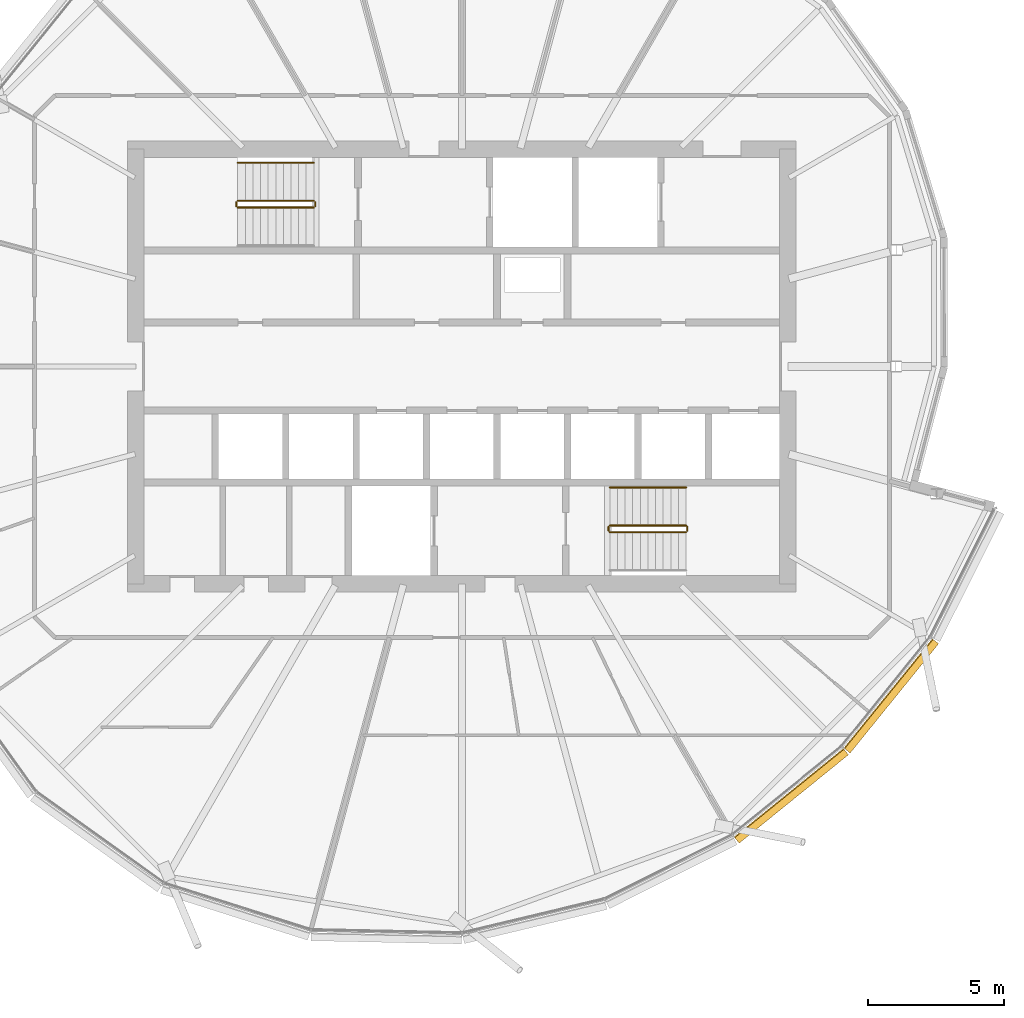
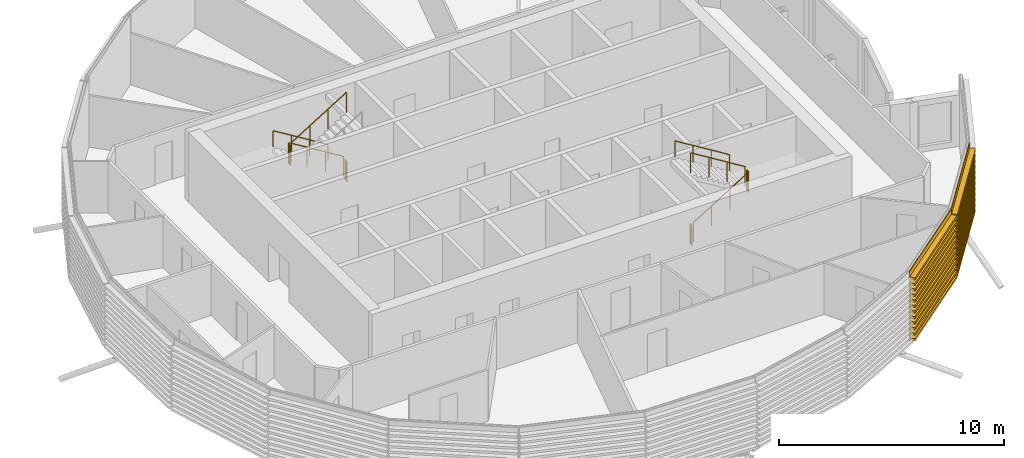
# One storey, part 36 of 37: 10 railings, 2 coverings.
"""IFC4 building model written with IfcOpenShell, lengths in metres."""

from ifc_helpers import new_model, si_unit, direction, frame, origin, origin_2d, place, context, subcontext, project, spatial, polyline, circle, outline, extrude, material, material_profile, profile_set, type_object, element, save


model = new_model("IFC4")

# Units and contexts
model_context = context("Model", 3, precision=1e-05, world=origin(), true_north=direction((0.0, 1.0)))
body_context = subcontext(model_context, "Body", "Model", "MODEL_VIEW")
ifc_project = project(units=[si_unit("LENGTHUNIT", "METRE"), si_unit("AREAUNIT", "SQUARE_METRE"), si_unit("VOLUMEUNIT", "CUBIC_METRE"), si_unit("PLANEANGLEUNIT", "RADIAN"), si_unit("MASSUNIT", "GRAM", prefix="KILO")], contexts=[model_context])

# Site, building, storey
site_placement = place(None, origin())
site = spatial("IfcSite", under=ifc_project, at=site_placement, CompositionType="ELEMENT")
building_placement = place(site_placement, origin())
building = spatial("IfcBuilding", under=site, at=building_placement, Name="Rimbun Link Towers", CompositionType="ELEMENT")
storey_placement = place(building_placement, frame((0.0, 0.0, 177.89990234375)))
storey = spatial("IfcBuildingStorey", under=building, at=storey_placement, Name="L43", CompositionType="ELEMENT", Elevation=177.89990234375)

# Railings
ifc_material_1 = material(Name="Stainless steel grade 316", Category="steel")
railing_type_1 = type_object("IfcRailingType", Name="Stair guard", PredefinedType="GUARDRAIL", material=ifc_material_1)
railing_1_placement = place(storey_placement, frame((26.300048828125, 6.10009765625, 0.1728515625)))
element("IfcRailing", 1, at=railing_1_placement, inside=storey, type_object=railing_type_1, Name="L43 ST3 stair guard 1", PredefinedType="GUARDRAIL", context=body_context, shape_type="SweptSolid", body=[
    extrude(circle(Radius=0.02392578125, at=origin_2d()), frame((0.0, 0.0, 1.076171875), z_axis=(-0.851089632645, 0.0, 0.525020415988), x_axis=(0.0, -1.0, 0.0)), (0.0, 0.0, 1.0), 3.2900390625),
    extrude(circle(Radius=0.02099609375, at=origin_2d()), origin(), (0.0, 0.0, 1.0), 1.052001953125),
    extrude(circle(Radius=0.02099609375, at=origin_2d()), frame((-0.933349609375, 0.0, 0.57568359375)), (0.0, 0.0, 1.0), 1.052001953125),
    extrude(circle(Radius=0.02099609375, at=origin_2d()), frame((-1.86669921875, 0.0, 1.151611328125)), (0.0, 0.0, 1.0), 1.052001953125),
    extrude(circle(Radius=0.02099609375, at=origin_2d()), frame((-2.800048828125, 0.0, 1.727294921875)), (0.0, 0.0, 1.0), 1.052001953125),
])
railing_2_placement = place(storey_placement, frame((23.449951171875, 6.050048828125, 1.900146484375)))
element("IfcRailing", 2, at=railing_2_placement, inside=storey, type_object=railing_type_1, Name="L43 ST3 stair guard 2", PredefinedType="GUARDRAIL", context=body_context, shape_type="SweptSolid", body=[
    extrude(circle(Radius=0.02392578125, at=origin_2d()), frame((0.0, 0.0, 1.076171875), z_axis=(0.0, -1.0, 0.0), x_axis=(1.0, 0.0, 0.0)), (0.0, 0.0, 1.0), 0.150146484375),
    extrude(circle(Radius=0.02099609375, at=origin_2d()), origin(), (0.0, 0.0, 1.0), 1.052001953125),
    extrude(circle(Radius=0.02099609375, at=origin_2d()), frame((0.0, -0.150146484375, 0.0)), (0.0, 0.0, 1.0), 1.052001953125),
])
railing_3_placement = place(storey_placement, frame((23.5, 5.85009765625, 2.07275390625)))
element("IfcRailing", 3, at=railing_3_placement, inside=storey, type_object=railing_type_1, Name="L43 ST3 stair guard 3", PredefinedType="GUARDRAIL", context=body_context, shape_type="SweptSolid", body=[
    extrude(circle(Radius=0.02392578125, at=origin_2d()), frame((0.0, 0.0, 1.076171875), z_axis=(0.851089632645, 0.0, 0.525020415988), x_axis=(0.0, 1.0, 0.0)), (0.0, 0.0, 1.0), 3.2900390625),
    extrude(circle(Radius=0.02099609375, at=origin_2d()), origin(), (0.0, 0.0, 1.0), 1.052001953125),
    extrude(circle(Radius=0.02099609375, at=origin_2d()), frame((0.933349609375, 0.0, 0.57568359375)), (0.0, 0.0, 1.0), 1.052001953125),
    extrude(circle(Radius=0.02099609375, at=origin_2d()), frame((1.86669921875, 0.0, 1.151611328125)), (0.0, 0.0, 1.0), 1.052001953125),
    extrude(circle(Radius=0.02099609375, at=origin_2d()), frame((2.800048828125, 0.0, 1.727294921875)), (0.0, 0.0, 1.0), 1.052001953125),
])
railing_4_placement = place(storey_placement, frame((26.35009765625, 6.050048828125, 0.0)))
element("IfcRailing", 4, at=railing_4_placement, inside=storey, type_object=railing_type_1, Name="L43 ST3 stair guard 4", PredefinedType="GUARDRAIL", context=body_context, shape_type="SweptSolid", body=[
    extrude(circle(Radius=0.02392578125, at=origin_2d()), frame((0.0, 0.0, 1.076171875), z_axis=(0.0, -1.0, 0.0), x_axis=(1.0, 0.0, 0.0)), (0.0, 0.0, 1.0), 0.150146484375),
    extrude(circle(Radius=0.02099609375, at=origin_2d()), origin(), (0.0, 0.0, 1.0), 1.052001953125),
    extrude(circle(Radius=0.02099609375, at=origin_2d()), frame((0.0, -0.150146484375, 0.0)), (0.0, 0.0, 1.0), 1.052001953125),
])
railing_5_placement = place(storey_placement, frame((37.199951171875, -6.10009765625, 0.1728515625)))
element("IfcRailing", 5, at=railing_5_placement, inside=storey, type_object=railing_type_1, Name="L43 ST4 stair guard 1", PredefinedType="GUARDRAIL", context=body_context, shape_type="SweptSolid", body=[
    extrude(circle(Radius=0.02392578125, at=origin_2d()), frame((0.0, 0.0, 1.076171875), z_axis=(0.851089632645, 0.0, 0.525020415988), x_axis=(0.0, 1.0, 0.0)), (0.0, 0.0, 1.0), 3.2900390625),
    extrude(circle(Radius=0.02099609375, at=origin_2d()), origin(), (0.0, 0.0, 1.0), 1.052001953125),
    extrude(circle(Radius=0.02099609375, at=origin_2d()), frame((0.933349609375, 0.0, 0.57568359375)), (0.0, 0.0, 1.0), 1.052001953125),
    extrude(circle(Radius=0.02099609375, at=origin_2d()), frame((1.86669921875, 0.0, 1.151611328125)), (0.0, 0.0, 1.0), 1.052001953125),
    extrude(circle(Radius=0.02099609375, at=origin_2d()), frame((2.800048828125, 0.0, 1.727294921875)), (0.0, 0.0, 1.0), 1.052001953125),
])
railing_6_placement = place(storey_placement, frame((40.050048828125, -6.050048828125, 1.900146484375)))
element("IfcRailing", 6, at=railing_6_placement, inside=storey, type_object=railing_type_1, Name="L43 ST4 stair guard 2", PredefinedType="GUARDRAIL", context=body_context, shape_type="SweptSolid", body=[
    extrude(circle(Radius=0.02392578125, at=origin_2d()), frame((0.0, 0.0, 1.076171875), z_axis=(0.0, 1.0, 0.0), x_axis=(-1.0, 0.0, 0.0)), (0.0, 0.0, 1.0), 0.150146484375),
    extrude(circle(Radius=0.02099609375, at=origin_2d()), origin(), (0.0, 0.0, 1.0), 1.052001953125),
    extrude(circle(Radius=0.02099609375, at=origin_2d()), frame((0.0, 0.150146484375, 0.0)), (0.0, 0.0, 1.0), 1.052001953125),
])
railing_7_placement = place(storey_placement, frame((40.0, -5.85009765625, 2.07275390625)))
element("IfcRailing", 7, at=railing_7_placement, inside=storey, type_object=railing_type_1, Name="L43 ST4 stair guard 3", PredefinedType="GUARDRAIL", context=body_context, shape_type="SweptSolid", body=[
    extrude(circle(Radius=0.02392578125, at=origin_2d()), frame((0.0, 0.0, 1.076171875), z_axis=(-0.851089632645, 0.0, 0.525020415988), x_axis=(0.0, -1.0, 0.0)), (0.0, 0.0, 1.0), 3.2900390625),
    extrude(circle(Radius=0.02099609375, at=origin_2d()), origin(), (0.0, 0.0, 1.0), 1.052001953125),
    extrude(circle(Radius=0.02099609375, at=origin_2d()), frame((-0.933349609375, 0.0, 0.57568359375)), (0.0, 0.0, 1.0), 1.052001953125),
    extrude(circle(Radius=0.02099609375, at=origin_2d()), frame((-1.86669921875, 0.0, 1.151611328125)), (0.0, 0.0, 1.0), 1.052001953125),
    extrude(circle(Radius=0.02099609375, at=origin_2d()), frame((-2.800048828125, 0.0, 1.727294921875)), (0.0, 0.0, 1.0), 1.052001953125),
])
railing_8_placement = place(storey_placement, frame((37.14990234375, -6.050048828125, 0.0)))
element("IfcRailing", 8, at=railing_8_placement, inside=storey, type_object=railing_type_1, Name="L43 ST4 stair guard 4", PredefinedType="GUARDRAIL", context=body_context, shape_type="SweptSolid", body=[
    extrude(circle(Radius=0.02392578125, at=origin_2d()), frame((0.0, 0.0, 1.076171875), z_axis=(0.0, 1.0, 0.0), x_axis=(-1.0, 0.0, 0.0)), (0.0, 0.0, 1.0), 0.150146484375),
    extrude(circle(Radius=0.02099609375, at=origin_2d()), origin(), (0.0, 0.0, 1.0), 1.052001953125),
    extrude(circle(Radius=0.02099609375, at=origin_2d()), frame((0.0, 0.150146484375, 0.0)), (0.0, 0.0, 1.0), 1.052001953125),
])
ifc_material_2 = material(Name="Stainless steel grade 316", Category="steel")
railing_type_2 = type_object("IfcRailingType", Name="Stair handrail", PredefinedType="HANDRAIL", material=ifc_material_2)
for number, where, name in (
    (9, (26.300048828125, 7.5, 0.1728515625), "L43 ST3 stair handrail 1"),
    (10, (40.0, -4.449951171875, 2.07275390625), "L43 ST4 stair handrail 2"),
):
    element("IfcRailing", number, at=place(storey_placement, frame(where)), inside=storey, type_object=railing_type_2, Name=name, PredefinedType="HANDRAIL", context=body_context, shape_type="SweptSolid", body=[
        extrude(circle(Radius=0.02392578125, at=origin_2d()), frame((0.0, 0.0, 0.8759765625), z_axis=(-0.851089632645, 0.0, 0.525020415988), x_axis=(0.0, -1.0, 0.0)), (0.0, 0.0, 1.0), 3.2900390625),
        extrude(circle(Radius=0.02099609375, at=origin_2d()), origin(), (0.0, 0.0, 1.0), 0.851806640625),
        extrude(circle(Radius=0.02099609375, at=origin_2d()), frame((-0.933349609375, 0.0, 0.57568359375)), (0.0, 0.0, 1.0), 0.851806640625),
        extrude(circle(Radius=0.02099609375, at=origin_2d()), frame((-1.86669921875, 0.0, 1.151611328125)), (0.0, 0.0, 1.0), 0.851806640625),
        extrude(circle(Radius=0.02099609375, at=origin_2d()), frame((-2.800048828125, 0.0, 1.727294921875)), (0.0, 0.0, 1.0), 0.851806640625),
    ])

# Coverings
ifc_material_3 = material(Name="Terracotta", Category="masonry")
ifc_material_profile = material_profile(ifc_material_3, outline(polyline([(0.123046875, 0.0), (0.1630859375, 0.0), (0.1630859375, 0.10009765625), (0.423095703125, 0.10009765625), (0.423095703125, 0.219970703125), (0.1630859375, 0.219970703125), (0.1630859375, 0.39990234375), (0.423095703125, 0.39990234375), (0.423095703125, 0.52001953125), (0.1630859375, 0.52001953125), (0.1630859375, 0.699951171875), (0.423095703125, 0.699951171875), (0.423095703125, 0.820068359375), (0.1630859375, 0.820068359375), (0.1630859375, 1.0), (0.423095703125, 1.0), (0.423095703125, 1.1201171875), (0.1630859375, 1.1201171875), (0.1630859375, 1.300048828125), (0.423095703125, 1.300048828125), (0.423095703125, 1.419921875), (0.1630859375, 1.419921875), (0.1630859375, 1.60009765625), (0.423095703125, 1.60009765625), (0.423095703125, 1.719970703125), (0.1630859375, 1.719970703125), (0.1630859375, 1.89990234375), (0.423095703125, 1.89990234375), (0.423095703125, 2.02001953125), (0.1630859375, 2.02001953125), (0.1630859375, 2.199951171875), (0.423095703125, 2.199951171875), (0.423095703125, 2.320068359375), (0.1630859375, 2.320068359375), (0.1630859375, 2.5), (0.423095703125, 2.5), (0.423095703125, 2.6201171875), (0.1630859375, 2.6201171875), (0.1630859375, 2.800048828125), (0.423095703125, 2.800048828125), (0.423095703125, 2.919921875), (0.1630859375, 2.919921875), (0.1630859375, 3.10009765625), (0.423095703125, 3.10009765625), (0.423095703125, 3.219970703125), (0.1630859375, 3.219970703125), (0.1630859375, 3.39990234375), (0.423095703125, 3.39990234375), (0.423095703125, 3.52001953125), (0.1630859375, 3.52001953125), (0.1630859375, 3.800048828125), (0.123046875, 3.800048828125), (0.123046875, 0.0)])), Name="BAGUETTE 120X300")
ifc_profile_set = profile_set([ifc_material_profile], Name="Terracotta")
covering_type = type_object("IfcCoveringType", Name="TERRACOTTA BAGUETTE 120X300 H3800", PredefinedType="CLADDING", material=ifc_profile_set)
for number, where, z_axis, x_axis, name in (
    (11, (45.71435546875, -13.96435546875, 0.0), (-0.777265745149, -0.629172441718, 0.0), (0.629172441718, -0.777265745149, 0.0), "TERRACOTTA BAGUETTE"),
    (12, (48.97021484375, -9.942138671875, 0.0), (-0.629172441718, -0.777265745149, 0.0), (0.777265745149, -0.629172441718, 0.0), "TERRACOTTA BAGUETTE"),
):
    element("IfcCovering", number, at=place(storey_placement, frame(where, z_axis=z_axis, x_axis=x_axis)), inside=storey, type_object=covering_type, Name=name, PredefinedType="CLADDING", context=body_context, shape_type="SweptSolid", body=[
        extrude(outline(polyline([(0.123046875, 0.0), (0.1630859375, 0.0), (0.1630859375, 0.10009765625), (0.423095703125, 0.10009765625), (0.423095703125, 0.219970703125), (0.1630859375, 0.219970703125), (0.1630859375, 0.39990234375), (0.423095703125, 0.39990234375), (0.423095703125, 0.52001953125), (0.1630859375, 0.52001953125), (0.1630859375, 0.699951171875), (0.423095703125, 0.699951171875), (0.423095703125, 0.820068359375), (0.1630859375, 0.820068359375), (0.1630859375, 1.0), (0.423095703125, 1.0), (0.423095703125, 1.1201171875), (0.1630859375, 1.1201171875), (0.1630859375, 1.300048828125), (0.423095703125, 1.300048828125), (0.423095703125, 1.419921875), (0.1630859375, 1.419921875), (0.1630859375, 1.60009765625), (0.423095703125, 1.60009765625), (0.423095703125, 1.719970703125), (0.1630859375, 1.719970703125), (0.1630859375, 1.89990234375), (0.423095703125, 1.89990234375), (0.423095703125, 2.02001953125), (0.1630859375, 2.02001953125), (0.1630859375, 2.199951171875), (0.423095703125, 2.199951171875), (0.423095703125, 2.320068359375), (0.1630859375, 2.320068359375), (0.1630859375, 2.5), (0.423095703125, 2.5), (0.423095703125, 2.6201171875), (0.1630859375, 2.6201171875), (0.1630859375, 2.800048828125), (0.423095703125, 2.800048828125), (0.423095703125, 2.919921875), (0.1630859375, 2.919921875), (0.1630859375, 3.10009765625), (0.423095703125, 3.10009765625), (0.423095703125, 3.219970703125), (0.1630859375, 3.219970703125), (0.1630859375, 3.39990234375), (0.423095703125, 3.39990234375), (0.423095703125, 3.52001953125), (0.1630859375, 3.52001953125), (0.1630859375, 3.800048828125), (0.123046875, 3.800048828125), (0.123046875, 0.0)])), origin(), (0.0, 0.0, 1.0), 5.1748046875),
    ])

save(model, "model.ifc")
